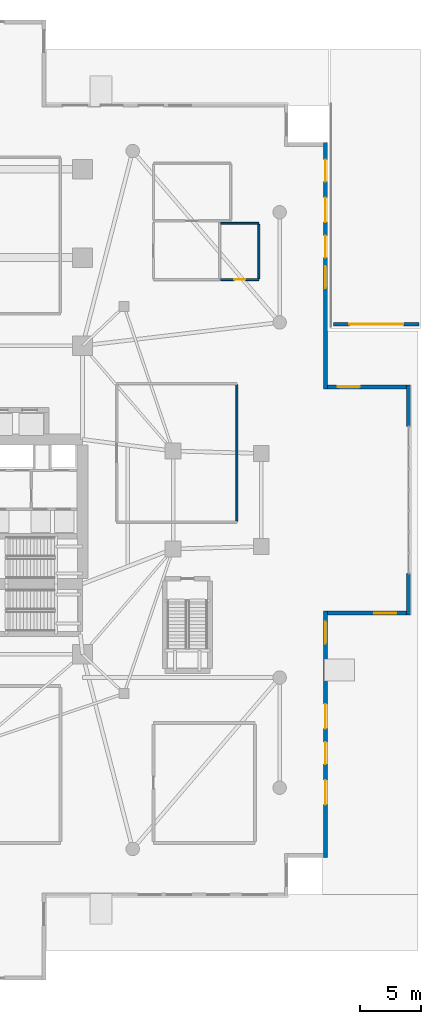
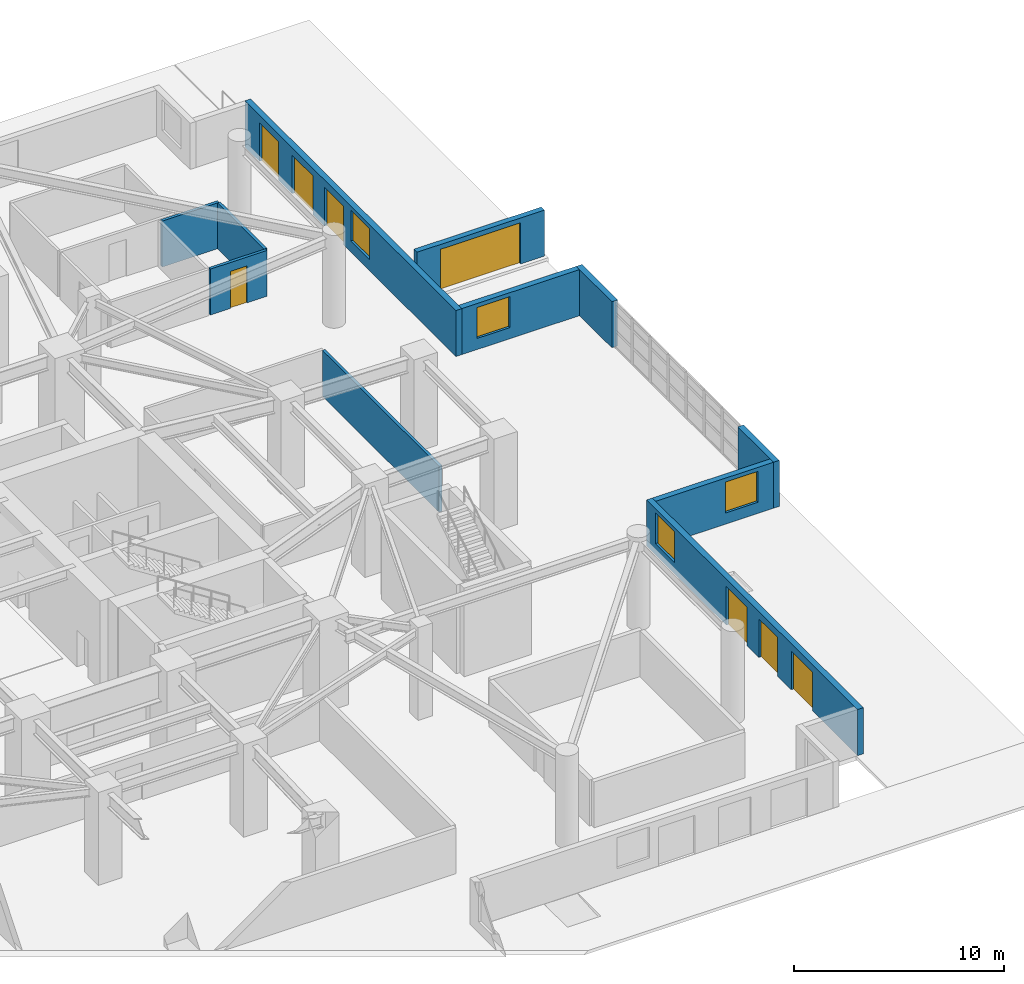
# One storey, part 16 of 24: 11 walls, 8 doors, 4 windows, 12 openings.
"""IFC4 building model written with IfcOpenShell, lengths in metres."""

from ifc_helpers import new_model, si_unit, direction, frame, frame_2d, origin, place, context, subcontext, project, spatial, rectangle, extrude, material, layer, layer_set, type_object, element, fill, save


model = new_model("IFC4")

# Units and contexts
model_context = context("Model", 3, precision=1e-05, world=origin(), true_north=direction((0.0, 1.0)))
body_context = subcontext(model_context, "Body", "Model", "MODEL_VIEW")
ifc_project = project(units=[si_unit("LENGTHUNIT", "METRE"), si_unit("AREAUNIT", "SQUARE_METRE"), si_unit("VOLUMEUNIT", "CUBIC_METRE"), si_unit("PLANEANGLEUNIT", "RADIAN"), si_unit("MASSUNIT", "GRAM", prefix="KILO")], contexts=[model_context])

# Site, building, storey
site_placement = place(None, origin())
site = spatial("IfcSite", under=ifc_project, at=site_placement, CompositionType="ELEMENT")
building_placement = place(site_placement, origin())
building = spatial("IfcBuilding", under=site, at=building_placement, Name="Qingluan Cross Belvedere", CompositionType="ELEMENT")
storey_placement = place(building_placement, origin())
storey = spatial("IfcBuildingStorey", under=building, at=storey_placement, Name="L01", CompositionType="ELEMENT", Elevation=0.0)

# Wall
ifc_material_1 = material(Name="Gypsum plasterboard on steel stud acoustic partition", Category="steel")
ifc_layer_1 = layer(ifc_material_1, 0.159912109375, Name="CorridorPartition_160")
ifc_layer_set_1 = layer_set([ifc_layer_1], Name="Gypsum plasterboard on steel stud acoustic partition")
wall_type_1 = type_object("IfcWallType", Name="CorridorPartition_160", PredefinedType="PARTITIONING", material=ifc_layer_set_1)
wall_1_placement = place(storey_placement, frame((25.0, -1.715087890625, 0.0), z_axis=(0.0, 0.0, 1.0), x_axis=(0.0, 1.0, 0.0)))
element("IfcWall", 1, at=wall_1_placement, inside=storey, type_object=wall_type_1, Name="Partition L01:obs_ticketing:E", PredefinedType="PARTITIONING", context=body_context, shape_type="SweptSolid", body=[
    extrude(rectangle(XDim=11.130126953125, YDim=0.159912109375, at=frame_2d((5.56494140625, 0.0))), origin(), (0.0, 0.0, 1.0), 2.669921875),
])

# Wall, opening, door
wall_2_placement = place(storey_placement, frame((23.679931640625, 18.0, 0.0), z_axis=(0.0, 0.0, 1.0), x_axis=(1.0, 0.0, 0.0)))
wall_2 = element("IfcWall", 2, at=wall_2_placement, inside=storey, type_object=wall_type_1, Name="Partition L01:pub_wc_acc:S", PredefinedType="PARTITIONING", context=body_context, shape_type="SweptSolid", body=[
    extrude(rectangle(XDim=3.1201171875, YDim=0.159912109375, at=frame_2d((1.56005859375, 0.0))), origin(), (0.0, 0.0, 1.0), 2.669921875),
])
opening_1_placement = place(wall_2_placement, frame((1.110107421875, 0.0, 0.0)))
opening_1 = element("IfcOpeningElement", 3, at=opening_1_placement, cuts=wall_2, Name="Opening BD-90", PredefinedType="OPENING", context=body_context, shape_type="SweptSolid", body=[
    extrude(rectangle(XDim=0.89990234375, YDim=2.14990234375, at=frame_2d((0.449951171875, 1.074951171875))), frame((0.0, 0.08984375, 0.0), z_axis=(0.0, -1.0, 0.0), x_axis=(1.0, 0.0, 0.0)), (0.0, 0.0, 1.0), 0.179931640625),
])
ifc_material_2 = material(Name="Moisture-sealed timber washroom door", Category="wood")
door_type_1 = type_object("IfcDoorType", Name="AccessibleWCDoor_900", OperationType="NOTDEFINED", PredefinedType="DOOR", material=ifc_material_2)
door_1_placement = place(opening_1_placement, origin())
door_1 = element("IfcDoor", 4, at=door_1_placement, inside=storey, type_object=door_type_1, Name="Accessible toilet L01 door", OperationType="SINGLE_SWING_LEFT", OverallHeight=2.14990234375, OverallWidth=0.89990234375, PredefinedType="DOOR", context=body_context, shape_type="SweptSolid", body=[
    extrude(rectangle(XDim=0.89990234375, YDim=2.14990234375, at=frame_2d((0.449951171875, 1.074951171875))), frame((0.0, 0.02490234375, 0.0), z_axis=(0.0, -1.0, 0.0), x_axis=(1.0, 0.0, 0.0)), (0.0, 0.0, 1.0), 0.050048828125),
])
fill(opening_1, door_1)

# Walls
wall_3_placement = place(storey_placement, frame((23.679931640625, 22.60009765625, 0.0), z_axis=(0.0, 0.0, 1.0), x_axis=(1.0, 0.0, 0.0)))
element("IfcWall", 5, at=wall_3_placement, inside=storey, type_object=wall_type_1, Name="Partition L01:pub_wc_acc:N", PredefinedType="PARTITIONING", context=body_context, shape_type="SweptSolid", body=[
    extrude(rectangle(XDim=3.1201171875, YDim=0.159912109375, at=frame_2d((1.56005859375, 0.0))), origin(), (0.0, 0.0, 1.0), 2.669921875),
])
wall_4_placement = place(storey_placement, frame((26.800048828125, 18.0849609375, 0.0), z_axis=(0.0, 0.0, 1.0), x_axis=(0.0, 1.0, 0.0)))
element("IfcWall", 6, at=wall_4_placement, inside=storey, type_object=wall_type_1, Name="Partition L01:pub_wc_acc:E", PredefinedType="PARTITIONING", context=body_context, shape_type="SweptSolid", body=[
    extrude(rectangle(XDim=4.429931640625, YDim=0.159912109375, at=frame_2d((2.21484375, 0.0))), origin(), (0.0, 0.0, 1.0), 2.669921875),
])

# Wall, opening, door
ifc_material_3 = material(Name="Precast concrete C45", Category="concrete")
ifc_layer_2 = layer(ifc_material_3, 0.320068359375, Name="PrecastPodiumWall_320")
ifc_layer_set_2 = layer_set([ifc_layer_2], Name="Precast concrete C45")
wall_type_2 = type_object("IfcWallType", Name="PrecastPodiumWall_320", PredefinedType="STANDARD", material=ifc_layer_set_2)
wall_5_placement = place(storey_placement, frame((32.89990234375, 14.35009765625, 0.0), z_axis=(0.0, 0.0, 1.0), x_axis=(1.0, 0.0, 0.0)))
wall_5 = element("IfcWall", 7, at=wall_5_placement, inside=storey, type_object=wall_type_2, Name="East basement ramp portal wall L01", PredefinedType="STANDARD", context=body_context, shape_type="SweptSolid", body=[
    extrude(rectangle(XDim=7.0, YDim=0.300048828125, at=frame_2d((3.5, 0.0))), origin(), (0.0, 0.0, 1.0), 2.679931640625),
])
opening_2_placement = place(wall_5_placement, frame((1.300048828125, 0.0, 0.0)))
opening_2 = element("IfcOpeningElement", 8, at=opening_2_placement, cuts=wall_5, Name="Opening VG-44", PredefinedType="OPENING", context=body_context, shape_type="SweptSolid", body=[
    extrude(rectangle(XDim=4.39990234375, YDim=2.39990234375, at=frame_2d((2.199951171875, 1.199951171875))), frame((0.0, 0.159912109375, 0.0), z_axis=(0.0, -1.0, 0.0), x_axis=(1.0, 0.0, 0.0)), (0.0, 0.0, 1.0), 0.320068359375),
])
ifc_material_4 = material(Name="Insulated galvanized steel roller shutter", Category="steel")
door_type_2 = type_object("IfcDoorType", Name="VehicleRollerGate_4400", OperationType="ROLLINGUP", PredefinedType="GATE", material=ifc_material_4)
door_2_placement = place(opening_2_placement, origin())
door_2 = element("IfcDoor", 9, at=door_2_placement, inside=storey, type_object=door_type_2, Name="Car park exit roller shutter gate VG-02", OperationType="ROLLINGUP", OverallHeight=2.39990234375, OverallWidth=4.39990234375, PredefinedType="GATE", context=body_context, shape_type="SweptSolid", body=[
    extrude(rectangle(XDim=4.39990234375, YDim=2.39990234375, at=frame_2d((2.199951171875, 1.199951171875))), frame((0.0, 0.02490234375, 0.0), z_axis=(0.0, -1.0, 0.0), x_axis=(1.0, 0.0, 0.0)), (0.0, 0.0, 1.0), 0.050048828125),
])
fill(opening_2, door_2)

# Wall, openings, doors, window
wall_6_placement = place(storey_placement, frame((32.239990234375, 29.199951171875, 0.0), z_axis=(0.0, 0.0, 1.0), x_axis=(0.0, -1.0, 0.0)))
wall_6 = element("IfcWall", 10, at=wall_6_placement, inside=storey, type_object=wall_type_2, Name="Podium precast facade wall L01-S25", PredefinedType="STANDARD", context=body_context, shape_type="SweptSolid", body=[
    extrude(rectangle(XDim=20.119873046875, YDim=0.320068359375, at=frame_2d((10.06005859375, 0.0))), origin(), (0.0, 0.0, 1.0), 2.679931640625),
])
opening_3_placement = place(wall_6_placement, frame((1.39990234375, 0.0, 0.0)))
opening_3 = element("IfcOpeningElement", 11, at=opening_3_placement, cuts=wall_6, Name="Opening ED-18", PredefinedType="OPENING", context=body_context, shape_type="SweptSolid", body=[
    extrude(rectangle(XDim=1.800048828125, YDim=2.25, at=frame_2d((0.89990234375, 1.125))), frame((0.0, 0.169921875, 0.0), z_axis=(0.0, -1.0, 0.0), x_axis=(1.0, 0.0, 0.0)), (0.0, 0.0, 1.0), 0.340087890625),
])
opening_4_placement = place(wall_6_placement, frame((4.5, 0.0, 0.0)))
opening_4 = element("IfcOpeningElement", 12, at=opening_4_placement, cuts=wall_6, Name="Opening ED-20", PredefinedType="OPENING", context=body_context, shape_type="SweptSolid", body=[
    extrude(rectangle(XDim=2.0, YDim=2.25, at=frame_2d((1.0, 1.125))), frame((0.0, 0.169921875, 0.0), z_axis=(0.0, -1.0, 0.0), x_axis=(1.0, 0.0, 0.0)), (0.0, 0.0, 1.0), 0.340087890625),
])
opening_5_placement = place(wall_6_placement, frame((7.60009765625, 0.0, 0.0)))
opening_5 = element("IfcOpeningElement", 13, at=opening_5_placement, cuts=wall_6, Name="Opening ED-18", PredefinedType="OPENING", context=body_context, shape_type="SweptSolid", body=[
    extrude(rectangle(XDim=1.800048828125, YDim=2.25, at=frame_2d((0.89990234375, 1.125))), frame((0.0, 0.169921875, 0.0), z_axis=(0.0, -1.0, 0.0), x_axis=(1.0, 0.0, 0.0)), (0.0, 0.0, 1.0), 0.340087890625),
])
opening_6_placement = place(wall_6_placement, frame((10.10009765625, 0.0, 0.64990234375)))
opening_6 = element("IfcOpeningElement", 14, at=opening_6_placement, cuts=wall_6, Name="Opening W-06", PredefinedType="OPENING", context=body_context, shape_type="SweptSolid", body=[
    extrude(rectangle(XDim=1.800048828125, YDim=1.800048828125, at=frame_2d((0.89990234375, 0.89990234375))), frame((0.0, 0.169921875, 0.0), z_axis=(0.0, -1.0, 0.0), x_axis=(1.0, 0.0, 0.0)), (0.0, 0.0, 1.0), 0.340087890625),
])
ifc_material_5 = material(Name="Anodised aluminium and toughened safety glass", Category="aluminium")
door_type_3 = type_object("IfcDoorType", Name="GroundExitDoubleDoor_1800", OperationType="DOUBLE_DOOR_SINGLE_SWING", PredefinedType="DOOR", material=ifc_material_5)
door_3_placement = place(opening_3_placement, origin())
door_3 = element("IfcDoor", 15, at=door_3_placement, inside=storey, type_object=door_type_3, Name="Ground pedestrian final exit door ED-18", OperationType="DOUBLE_DOOR_SINGLE_SWING", OverallHeight=2.25, OverallWidth=1.800048828125, PredefinedType="DOOR", context=body_context, shape_type="SweptSolid", body=[
    extrude(rectangle(XDim=1.800048828125, YDim=2.25, at=frame_2d((0.89990234375, 1.125))), frame((0.0, 0.02490234375, 0.0), z_axis=(0.0, -1.0, 0.0), x_axis=(1.0, 0.0, 0.0)), (0.0, 0.0, 1.0), 0.050048828125),
])
fill(opening_3, door_3)
door_4_placement = place(opening_5_placement, origin())
door_4 = element("IfcDoor", 16, at=door_4_placement, inside=storey, type_object=door_type_3, Name="Ground pedestrian final exit door ED-20", OperationType="DOUBLE_DOOR_SINGLE_SWING", OverallHeight=2.25, OverallWidth=1.800048828125, PredefinedType="DOOR", context=body_context, shape_type="SweptSolid", body=[
    extrude(rectangle(XDim=1.800048828125, YDim=2.25, at=frame_2d((0.89990234375, 1.125))), frame((0.0, 0.02490234375, 0.0), z_axis=(0.0, -1.0, 0.0), x_axis=(1.0, 0.0, 0.0)), (0.0, 0.0, 1.0), 0.050048828125),
])
fill(opening_5, door_4)
ifc_material_6 = material(Name="Anodised aluminium and toughened safety glass", Category="aluminium")
door_type_4 = type_object("IfcDoorType", Name="GroundExitDoubleDoor_2000", OperationType="DOUBLE_DOOR_SINGLE_SWING", PredefinedType="DOOR", material=ifc_material_6)
door_5_placement = place(opening_4_placement, origin())
door_5 = element("IfcDoor", 17, at=door_5_placement, inside=storey, type_object=door_type_4, Name="Ground pedestrian final exit door ED-19", OperationType="DOUBLE_DOOR_SINGLE_SWING", OverallHeight=2.25, OverallWidth=2.0, PredefinedType="DOOR", context=body_context, shape_type="SweptSolid", body=[
    extrude(rectangle(XDim=2.0, YDim=2.25, at=frame_2d((1.0, 1.125))), frame((0.0, 0.02490234375, 0.0), z_axis=(0.0, -1.0, 0.0), x_axis=(1.0, 0.0, 0.0)), (0.0, 0.0, 1.0), 0.050048828125),
])
fill(opening_4, door_5)
ifc_material_7 = material(Name="Thermally broken triple Low-E glass in aluminium frame", Category="aluminium")
window_type = type_object("IfcWindowType", Name="PodiumGalleryWin_1800x1800", PartitioningType="SINGLE_PANEL", PredefinedType="WINDOW", material=ifc_material_7)
window_1_placement = place(opening_6_placement, origin())
window_1 = element("IfcWindow", 18, at=window_1_placement, inside=storey, type_object=window_type, Name="Podium gallery window L01-S25", OverallHeight=1.800048828125, OverallWidth=1.800048828125, PartitioningType="SINGLE_PANEL", PredefinedType="WINDOW", context=body_context, shape_type="SweptSolid", body=[
    extrude(rectangle(XDim=1.800048828125, YDim=1.800048828125, at=frame_2d((0.89990234375, 0.89990234375))), frame((0.0, 0.030029296875, 0.0), z_axis=(0.0, -1.0, 0.0), x_axis=(1.0, 0.0, 0.0)), (0.0, 0.0, 1.0), 0.06005859375),
])
fill(opening_6, window_1)

# Wall, opening, window
wall_7_placement = place(storey_placement, frame((32.39990234375, 9.239990234375, 0.0), z_axis=(0.0, 0.0, 1.0), x_axis=(1.0, 0.0, 0.0)))
wall_7 = element("IfcWall", 19, at=wall_7_placement, inside=storey, type_object=wall_type_2, Name="Podium precast facade wall L01-S26", PredefinedType="STANDARD", context=body_context, shape_type="SweptSolid", body=[
    extrude(rectangle(XDim=6.47998046875, YDim=0.320068359375, at=frame_2d((3.239990234375, 0.0))), origin(), (0.0, 0.0, 1.0), 2.679931640625),
])
opening_7_placement = place(wall_7_placement, frame((0.85009765625, 0.0, 0.64990234375)))
opening_7 = element("IfcOpeningElement", 20, at=opening_7_placement, cuts=wall_7, Name="Opening W-06", PredefinedType="OPENING", context=body_context, shape_type="SweptSolid", body=[
    extrude(rectangle(XDim=1.800048828125, YDim=1.800048828125, at=frame_2d((0.89990234375, 0.89990234375))), frame((0.0, 0.169921875, 0.0), z_axis=(0.0, -1.0, 0.0), x_axis=(1.0, 0.0, 0.0)), (0.0, 0.0, 1.0), 0.340087890625),
])
window_2_placement = place(opening_7_placement, origin())
window_2 = element("IfcWindow", 21, at=window_2_placement, inside=storey, type_object=window_type, Name="Podium gallery window L01-S26", OverallHeight=1.800048828125, OverallWidth=1.800048828125, PartitioningType="SINGLE_PANEL", PredefinedType="WINDOW", context=body_context, shape_type="SweptSolid", body=[
    extrude(rectangle(XDim=1.800048828125, YDim=1.800048828125, at=frame_2d((0.89990234375, 0.89990234375))), frame((0.0, 0.030029296875, 0.0), z_axis=(0.0, -1.0, 0.0), x_axis=(1.0, 0.0, 0.0)), (0.0, 0.0, 1.0), 0.06005859375),
])
fill(opening_7, window_2)

# Walls
for number, where, z_axis, x_axis, name in (
    (22, (39.0400390625, 9.39990234375, 0.0), (0.0, 0.0, 1.0), (0.0, -1.0, 0.0), "Podium portal pier L01-P4JA"),
    (23, (39.0400390625, -6.0, 0.0), (0.0, 0.0, 1.0), (0.0, -1.0, 0.0), "Podium portal pier L01-P4JB"),
):
    element("IfcWall", number, at=place(storey_placement, frame(where, z_axis=z_axis, x_axis=x_axis)), inside=storey, type_object=wall_type_2, Name=name, PredefinedType="STANDARD", context=body_context, shape_type="SweptSolid", body=[
        extrude(rectangle(XDim=3.39990234375, YDim=0.320068359375, at=frame_2d((1.699951171875, 0.0))), origin(), (0.0, 0.0, 1.0), 2.679931640625),
    ])

# Wall, opening, window
wall_8_placement = place(storey_placement, frame((38.8798828125, -9.239990234375, 0.0), z_axis=(0.0, 0.0, 1.0), x_axis=(-1.0, 0.0, 0.0)))
wall_8 = element("IfcWall", 24, at=wall_8_placement, inside=storey, type_object=wall_type_2, Name="Podium precast facade wall L01-S29", PredefinedType="STANDARD", context=body_context, shape_type="SweptSolid", body=[
    extrude(rectangle(XDim=6.47998046875, YDim=0.320068359375, at=frame_2d((3.239990234375, 0.0))), origin(), (0.0, 0.0, 1.0), 2.679931640625),
])
opening_8_placement = place(wall_8_placement, frame((0.85009765625, 0.0, 0.64990234375)))
opening_8 = element("IfcOpeningElement", 25, at=opening_8_placement, cuts=wall_8, Name="Opening W-06", PredefinedType="OPENING", context=body_context, shape_type="SweptSolid", body=[
    extrude(rectangle(XDim=1.800048828125, YDim=1.800048828125, at=frame_2d((0.89990234375, 0.89990234375))), frame((0.0, 0.169921875, 0.0), z_axis=(0.0, -1.0, 0.0), x_axis=(1.0, 0.0, 0.0)), (0.0, 0.0, 1.0), 0.340087890625),
])
window_3_placement = place(opening_8_placement, origin())
window_3 = element("IfcWindow", 26, at=window_3_placement, inside=storey, type_object=window_type, Name="Podium gallery window L01-S29", OverallHeight=1.800048828125, OverallWidth=1.800048828125, PartitioningType="SINGLE_PANEL", PredefinedType="WINDOW", context=body_context, shape_type="SweptSolid", body=[
    extrude(rectangle(XDim=1.800048828125, YDim=1.800048828125, at=frame_2d((0.89990234375, 0.89990234375))), frame((0.0, 0.030029296875, 0.0), z_axis=(0.0, -1.0, 0.0), x_axis=(1.0, 0.0, 0.0)), (0.0, 0.0, 1.0), 0.06005859375),
])
fill(opening_8, window_3)

# Wall, openings, doors, window
wall_9_placement = place(storey_placement, frame((32.239990234375, -9.080078125, 0.0), z_axis=(0.0, 0.0, 1.0), x_axis=(0.0, -1.0, 0.0)))
wall_9 = element("IfcWall", 27, at=wall_9_placement, inside=storey, type_object=wall_type_2, Name="Podium precast facade wall L01-S30", PredefinedType="STANDARD", context=body_context, shape_type="SweptSolid", body=[
    extrude(rectangle(XDim=20.119873046875, YDim=0.320068359375, at=frame_2d((10.06005859375, 0.0))), origin(), (0.0, 0.0, 1.0), 2.679931640625),
])
opening_9_placement = place(wall_9_placement, frame((7.60009765625, 0.0, 0.0)))
opening_9 = element("IfcOpeningElement", 28, at=opening_9_placement, cuts=wall_9, Name="Opening ED-20", PredefinedType="OPENING", context=body_context, shape_type="SweptSolid", body=[
    extrude(rectangle(XDim=2.0, YDim=2.25, at=frame_2d((1.0, 1.125))), frame((0.0, 0.169921875, 0.0), z_axis=(0.0, -1.0, 0.0), x_axis=(1.0, 0.0, 0.0)), (0.0, 0.0, 1.0), 0.340087890625),
])
opening_10_placement = place(wall_9_placement, frame((10.699951171875, 0.0, 0.0)))
opening_10 = element("IfcOpeningElement", 29, at=opening_10_placement, cuts=wall_9, Name="Opening ED-18", PredefinedType="OPENING", context=body_context, shape_type="SweptSolid", body=[
    extrude(rectangle(XDim=1.800048828125, YDim=2.25, at=frame_2d((0.89990234375, 1.125))), frame((0.0, 0.169921875, 0.0), z_axis=(0.0, -1.0, 0.0), x_axis=(1.0, 0.0, 0.0)), (0.0, 0.0, 1.0), 0.340087890625),
])
opening_11_placement = place(wall_9_placement, frame((13.800048828125, 0.0, 0.0)))
opening_11 = element("IfcOpeningElement", 30, at=opening_11_placement, cuts=wall_9, Name="Opening ED-20", PredefinedType="OPENING", context=body_context, shape_type="SweptSolid", body=[
    extrude(rectangle(XDim=2.0, YDim=2.25, at=frame_2d((1.0, 1.125))), frame((0.0, 0.169921875, 0.0), z_axis=(0.0, -1.0, 0.0), x_axis=(1.0, 0.0, 0.0)), (0.0, 0.0, 1.0), 0.340087890625),
])
opening_12_placement = place(wall_9_placement, frame((0.85009765625, 0.0, 0.64990234375)))
opening_12 = element("IfcOpeningElement", 31, at=opening_12_placement, cuts=wall_9, Name="Opening W-06", PredefinedType="OPENING", context=body_context, shape_type="SweptSolid", body=[
    extrude(rectangle(XDim=1.800048828125, YDim=1.800048828125, at=frame_2d((0.89990234375, 0.89990234375))), frame((0.0, 0.169921875, 0.0), z_axis=(0.0, -1.0, 0.0), x_axis=(1.0, 0.0, 0.0)), (0.0, 0.0, 1.0), 0.340087890625),
])
door_6_placement = place(opening_10_placement, origin())
door_6 = element("IfcDoor", 32, at=door_6_placement, inside=storey, type_object=door_type_3, Name="Ground pedestrian final exit door ED-22", OperationType="DOUBLE_DOOR_SINGLE_SWING", OverallHeight=2.25, OverallWidth=1.800048828125, PredefinedType="DOOR", context=body_context, shape_type="SweptSolid", body=[
    extrude(rectangle(XDim=1.800048828125, YDim=2.25, at=frame_2d((0.89990234375, 1.125))), frame((0.0, 0.02490234375, 0.0), z_axis=(0.0, -1.0, 0.0), x_axis=(1.0, 0.0, 0.0)), (0.0, 0.0, 1.0), 0.050048828125),
])
fill(opening_10, door_6)
door_7_placement = place(opening_9_placement, origin())
door_7 = element("IfcDoor", 33, at=door_7_placement, inside=storey, type_object=door_type_4, Name="Ground pedestrian final exit door ED-21", OperationType="DOUBLE_DOOR_SINGLE_SWING", OverallHeight=2.25, OverallWidth=2.0, PredefinedType="DOOR", context=body_context, shape_type="SweptSolid", body=[
    extrude(rectangle(XDim=2.0, YDim=2.25, at=frame_2d((1.0, 1.125))), frame((0.0, 0.02490234375, 0.0), z_axis=(0.0, -1.0, 0.0), x_axis=(1.0, 0.0, 0.0)), (0.0, 0.0, 1.0), 0.050048828125),
])
fill(opening_9, door_7)
door_8_placement = place(opening_11_placement, origin())
door_8 = element("IfcDoor", 34, at=door_8_placement, inside=storey, type_object=door_type_4, Name="Ground pedestrian final exit door ED-23", OperationType="DOUBLE_DOOR_SINGLE_SWING", OverallHeight=2.25, OverallWidth=2.0, PredefinedType="DOOR", context=body_context, shape_type="SweptSolid", body=[
    extrude(rectangle(XDim=2.0, YDim=2.25, at=frame_2d((1.0, 1.125))), frame((0.0, 0.02490234375, 0.0), z_axis=(0.0, -1.0, 0.0), x_axis=(1.0, 0.0, 0.0)), (0.0, 0.0, 1.0), 0.050048828125),
])
fill(opening_11, door_8)
window_4_placement = place(opening_12_placement, origin())
window_4 = element("IfcWindow", 35, at=window_4_placement, inside=storey, type_object=window_type, Name="Podium gallery window L01-S30", OverallHeight=1.800048828125, OverallWidth=1.800048828125, PartitioningType="SINGLE_PANEL", PredefinedType="WINDOW", context=body_context, shape_type="SweptSolid", body=[
    extrude(rectangle(XDim=1.800048828125, YDim=1.800048828125, at=frame_2d((0.89990234375, 0.89990234375))), frame((0.0, 0.030029296875, 0.0), z_axis=(0.0, -1.0, 0.0), x_axis=(1.0, 0.0, 0.0)), (0.0, 0.0, 1.0), 0.06005859375),
])
fill(opening_12, window_4)

save(model, "model.ifc")
